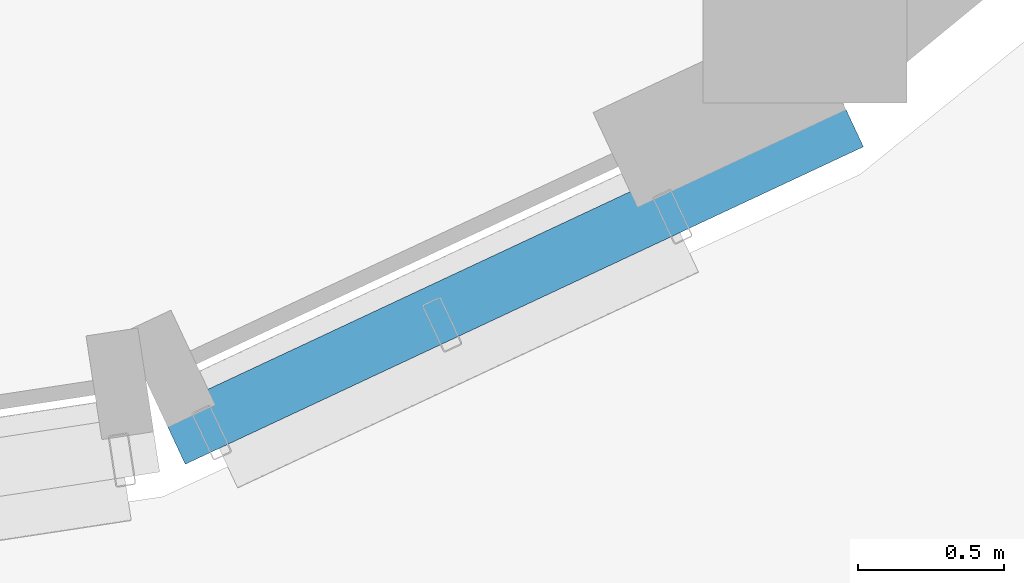
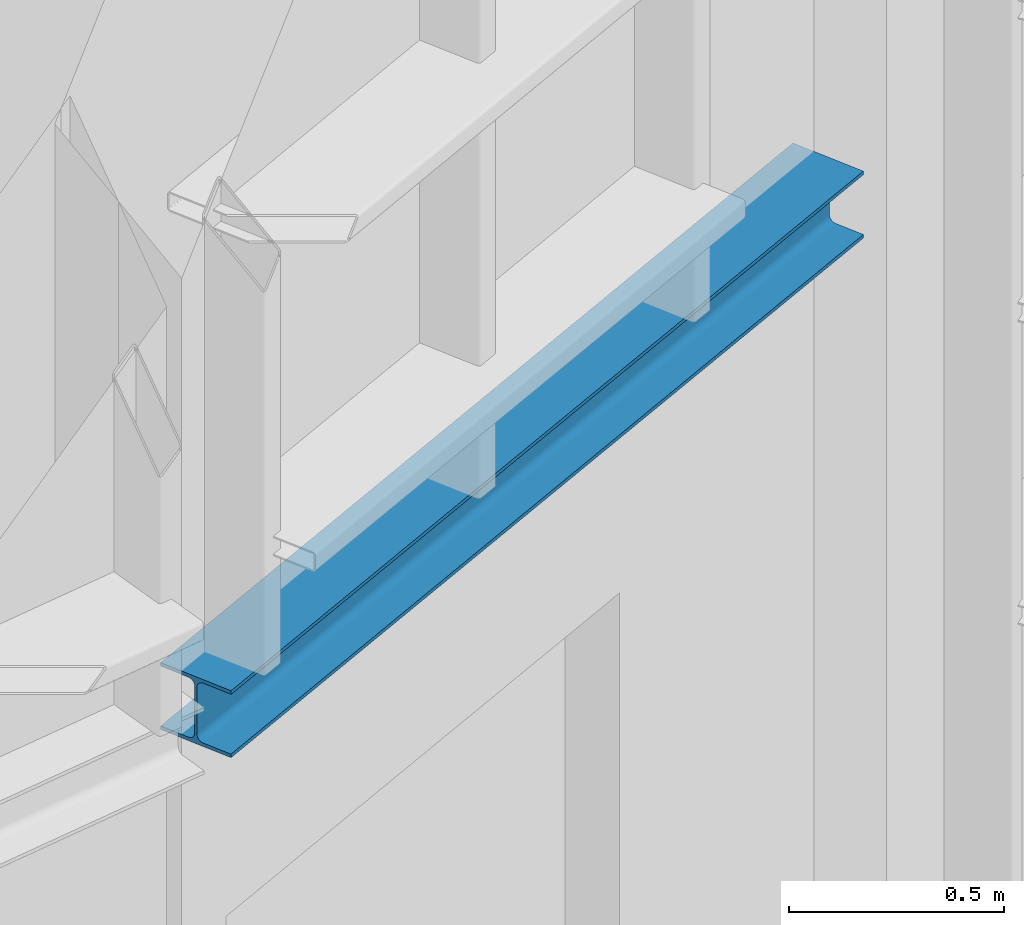
# One storey, part 147 of 372: 1 beam.
"""IFC4 building model written with IfcOpenShell, lengths in metres."""

from ifc_helpers import new_model, si_unit, direction, frame, origin, origin_2d, place, context, subcontext, project, spatial, i_section, extrude, material, material_profile, profile_set, type_object, element, save


model = new_model("IFC4")

# Units and contexts
model_context = context("Model", 3, precision=1e-05, world=origin(), true_north=direction((0.0, 1.0)))
body_context = subcontext(model_context, "Body", "Model", "MODEL_VIEW")
ifc_project = project(units=[si_unit("LENGTHUNIT", "METRE"), si_unit("AREAUNIT", "SQUARE_METRE"), si_unit("VOLUMEUNIT", "CUBIC_METRE"), si_unit("PLANEANGLEUNIT", "RADIAN"), si_unit("MASSUNIT", "GRAM", prefix="KILO")], contexts=[model_context])

# Site, building, storey
site_placement = place(None, origin())
site = spatial("IfcSite", under=ifc_project, at=site_placement, CompositionType="ELEMENT")
building_placement = place(site_placement, origin())
building = spatial("IfcBuilding", under=site, at=building_placement, Name="Kaelora Sail Theatre", CompositionType="ELEMENT")
storey_placement = place(building_placement, origin())
storey = spatial("IfcBuildingStorey", under=building, at=storey_placement, Name="L00", CompositionType="ELEMENT", Elevation=0.0)

# Beam
ifc_material = material(Name="Steel S355", Category="steel")
ifc_material_profile = material_profile(ifc_material, i_section(OverallWidth=0.199951171875, OverallDepth=0.18994140625, WebThickness=0.006591796875, FlangeThickness=0.010009765625, FilletRadius=0.01806640625, at=origin_2d()), Name="HEA 200")
ifc_profile_set = profile_set([ifc_material_profile], Name="Steel S355")
beam_type = type_object("IfcBeamType", Name="STR-BM-BM-HEA200", PredefinedType="BEAM", material=ifc_profile_set)
beam_placement = place(storey_placement, frame((95.427978515625, 32.517333984375, 3.0048828125), z_axis=(-0.905675487445, -0.423971592728, 0.0), x_axis=(0.423971592728, -0.905675487445, 0.0)))
element("IfcBeam", 1, at=beam_placement, inside=storey, type_object=beam_type, Name="Studio Theatre Sail Drum brise-soleil portal lintel beam C9", PredefinedType="BEAM", context=body_context, shape_type="SweptSolid", body=[
    extrude(i_section(OverallWidth=0.199951171875, OverallDepth=0.18994140625, WebThickness=0.006591796875, FlangeThickness=0.010009765625, FilletRadius=0.01806640625, at=origin_2d()), origin(), (0.0, 0.0, 1.0), 2.571044921875),
])

save(model, "model.ifc")
